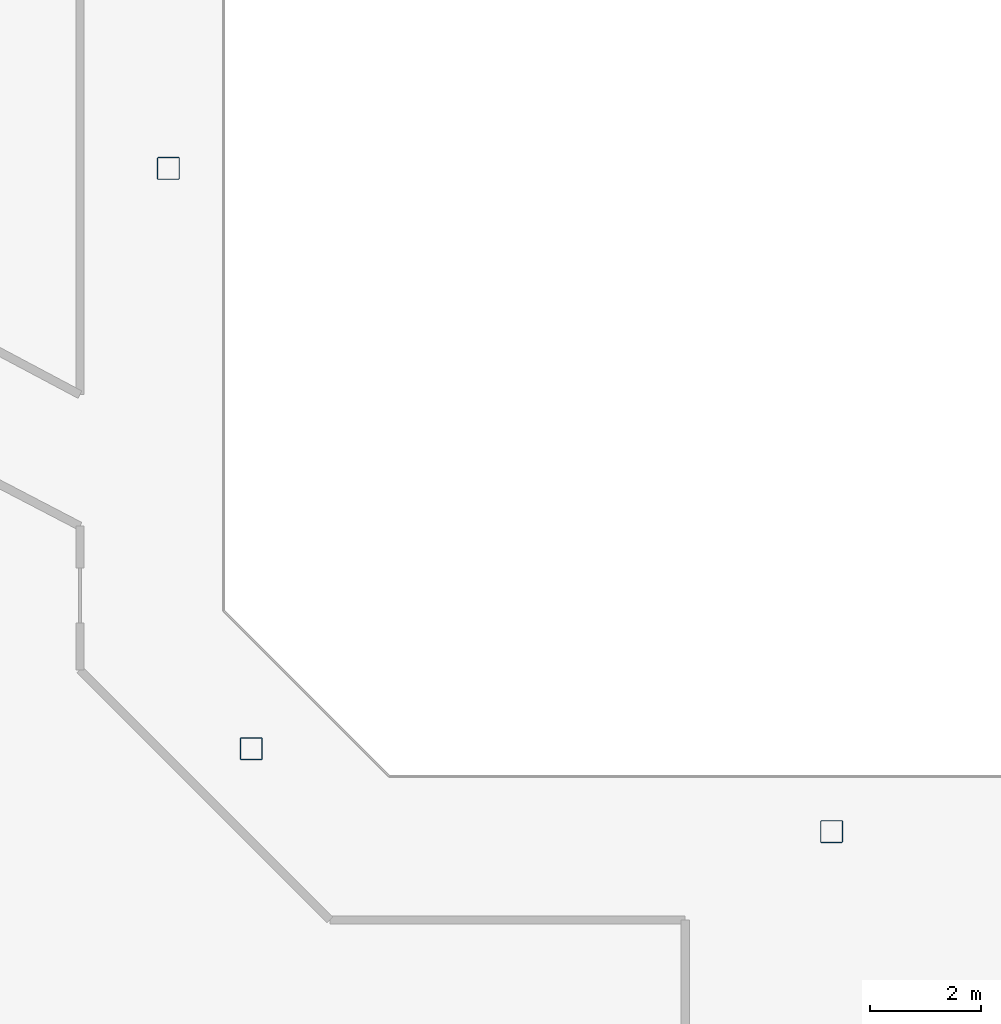
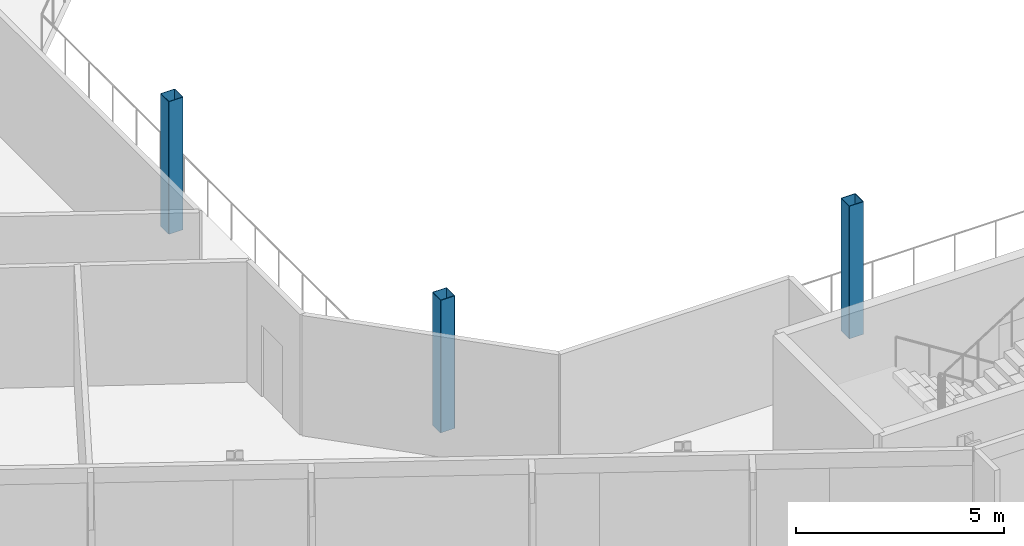
# One storey, part 2 of 26: 3 columns.
"""IFC4 building model written with IfcOpenShell, lengths in metres."""

import ifcopenshell
import ifcopenshell.guid

model = None  # the IFC model being written
_history = None  # IfcOwnerHistory: only IFC2X3 demands one
_inside = {}  # id of a spatial element -> (the spatial element, [elements in it])
_under = {}  # id of a project, library or spatial element -> (it, [spatial elements below it])
_declared = {}  # id of a project -> (the project, [libraries it declares])
_typed = {}  # id of a type object -> (the type object, [elements of that type])
_made_of = {}  # id of a material, layer set ... -> (it, [elements and type objects made of it])


def new_model(schema):
    """Start an empty IFC model of exactly this schema.

    Asked for "IFC4X3", IfcOpenShell would pick the latest addendum, in which some entities
    have other attributes; the version numbers below select the first issue.
    IFC2X3 requires an IfcOwnerHistory on every rooted entity: one is made here for all.
    """
    global model, _history
    if schema == "IFC4X3":
        model = ifcopenshell.file(schema_version=(4, 3, 0, 0))
    else:
        model = ifcopenshell.file(schema=schema)
    _inside.clear()
    _under.clear()
    _declared.clear()
    _typed.clear()
    _made_of.clear()
    _history = None
    if model.schema == "IFC2X3":
        org = make("IfcOrganization", Name="unknown")
        user = make(
            "IfcPersonAndOrganization",
            ThePerson=make("IfcPerson", FamilyName="unknown"),
            TheOrganization=org,
        )
        app = make(
            "IfcApplication",
            ApplicationDeveloper=org,
            Version="unknown",
            ApplicationFullName="unknown",
            ApplicationIdentifier="unknown",
        )
        _history = make(
            "IfcOwnerHistory",
            OwningUser=user,
            OwningApplication=app,
            ChangeAction="ADDED",
            CreationDate=0,
        )
    return model


def make(cls, **values):
    """One entity of the class cls with the attributes given. An attribute that is None is left unset."""
    return model.create_entity(
        cls, **{name: value for name, value in values.items() if value is not None}
    )


def rooted(cls, **values):
    """An entity with a GlobalId (a new one), such as an element, a storey or a relation."""
    return make(cls, GlobalId=ifcopenshell.guid.new(), OwnerHistory=_history, **values)


def si_unit(unit_type, name, prefix=None):
    """IfcSIUnit, for example si_unit("LENGTHUNIT", "METRE", prefix="MILLI")."""
    return make("IfcSIUnit", UnitType=unit_type, Prefix=prefix, Name=name)


def assignment(units):
    """IfcUnitAssignment: the units of a project."""
    return None if units is None else make("IfcUnitAssignment", Units=units)


def point(xyz):
    """IfcCartesianPoint."""
    return None if xyz is None else make("IfcCartesianPoint", Coordinates=xyz)


def direction(xyz):
    """IfcDirection."""
    return None if xyz is None else make("IfcDirection", DirectionRatios=xyz)


def frame(location, z_axis=None, x_axis=None):
    """IfcAxis2Placement3D, a coordinate frame: its origin and axes. An axis left out is left unset."""
    return make(
        "IfcAxis2Placement3D",
        Location=point(location),
        Axis=direction(z_axis),
        RefDirection=direction(x_axis),
    )


def frame_2d(location, x_axis=None):
    """IfcAxis2Placement2D, a coordinate frame in the plane: its origin and x axis."""
    return make(
        "IfcAxis2Placement2D", Location=point(location), RefDirection=direction(x_axis)
    )


def origin():
    """The frame at (0, 0, 0) with its axes left unset."""
    return frame((0.0, 0.0, 0.0))


def origin_2d():
    """The frame at (0, 0) in the plane with its x axis left unset."""
    return frame_2d((0.0, 0.0))


def place(relative_to, where):
    """IfcLocalPlacement: puts the frame where relative to a parent placement (None: the world)."""
    return make(
        "IfcLocalPlacement", PlacementRelTo=relative_to, RelativePlacement=where
    )


def context(
    kind, dimensions, precision=None, world=None, true_north=None, identifier=None
):
    """IfcGeometricRepresentationContext, for example the 3D "Model" context."""
    return make(
        "IfcGeometricRepresentationContext",
        ContextIdentifier=identifier,
        ContextType=kind,
        CoordinateSpaceDimension=dimensions,
        Precision=precision,
        WorldCoordinateSystem=world,
        TrueNorth=true_north,
    )


def subcontext(parent, identifier, kind, view, scale=None):
    """IfcGeometricRepresentationSubContext, for example "Body" below "Model"."""
    return make(
        "IfcGeometricRepresentationSubContext",
        ContextIdentifier=identifier,
        ContextType=kind,
        ParentContext=parent,
        TargetScale=scale,
        TargetView=view,
    )


def project(units=None, contexts=None):
    """IfcProject with its units and contexts."""
    return rooted(
        "IfcProject",
        Name="project",
        RepresentationContexts=contexts,
        UnitsInContext=assignment(units),
    )


def spatial(cls, under=None, at=None, **own):
    """A site, building, storey or space (cls), placed at a placement, below another one or the project."""
    s = rooted(cls, ObjectPlacement=at, **own)
    if under is not None:
        _under.setdefault(under.id(), (under, []))[1].append(s)
    return s


def profile(cls, at=None, kind="AREA", **sizes):
    """A parametric profile (cls). Its sizes go by their IFC names, for example OverallWidth=200.0."""
    return make(cls, ProfileType=kind, Position=at, **sizes)


def hollow_rectangle(**sizes):
    """IfcRectangleHollowProfileDef."""
    return profile("IfcRectangleHollowProfileDef", **sizes)


def extrude(swept, where, along, depth):
    """IfcExtrudedAreaSolid: the profile swept, set in the frame where, extruded along a direction by depth."""
    return make(
        "IfcExtrudedAreaSolid",
        SweptArea=swept,
        Position=where,
        ExtrudedDirection=direction(along),
        Depth=depth,
    )


def shape(context_of_items, identifier, shape_type, items):
    """IfcShapeRepresentation: the items that make up one representation, for example the "Body"."""
    return make(
        "IfcShapeRepresentation",
        ContextOfItems=context_of_items,
        RepresentationIdentifier=identifier,
        RepresentationType=shape_type,
        Items=items,
    )


def material(Name=None, Category=None):
    """IfcMaterial."""
    return make("IfcMaterial", Name=Name, Category=Category)


def material_profile(
    of_material, cross_section, Name=None, Category=None, Priority=None
):
    """IfcMaterialProfile: a cross section and its material."""
    return make(
        "IfcMaterialProfile",
        Name=Name,
        Material=of_material,
        Profile=cross_section,
        Priority=Priority,
        Category=Category,
    )


def profile_set(profiles, Name=None, composite=None):
    """IfcMaterialProfileSet."""
    return make(
        "IfcMaterialProfileSet",
        Name=Name,
        MaterialProfiles=profiles,
        CompositeProfile=composite,
    )


def made_of(thing, what):
    """Note that an element or type object is made of a material, layer set ...; save() writes the relation."""
    if what is not None:
        _made_of.setdefault(what.id(), (what, []))[1].append(thing)
    return thing


def type_object(cls, material=None, **own):
    """A type object (cls), such as IfcWallType, which elements share."""
    return made_of(rooted(cls, **own), material)


def element(
    cls,
    number,
    at=None,
    inside=None,
    cuts=None,
    type_object=None,
    material=None,
    context=None,
    identifier="Body",
    shape_type=None,
    held_by="IfcProductDefinitionShape",
    body=None,
    shapes=None,
    **own,
):
    """One element of the class cls, such as IfcWall. Its Tag is "e" and its number.

    at: its placement. inside: the storey or other place that contains it. cuts: it is an
    opening in that element (IfcRelVoidsElement). A single representation is given by context,
    identifier, shape_type and body (its items); several are given by shapes. held_by: the class
    of the entity that holds the representations. save() writes the other relations.
    """
    e = rooted(cls, Tag="e%d" % number, ObjectPlacement=at, **own)
    if body is not None:
        shapes = [shape(context, identifier, shape_type, body)]
    if shapes is not None:
        e.Representation = make(held_by, Representations=shapes)
    if inside is not None:
        _inside.setdefault(inside.id(), (inside, []))[1].append(e)
    if cuts is not None:
        rooted(
            "IfcRelVoidsElement", RelatingBuildingElement=cuts, RelatedOpeningElement=e
        )
    if type_object is not None:
        _typed.setdefault(type_object.id(), (type_object, []))[1].append(e)
    return made_of(e, material)


def aggregate(whole, parts):
    """IfcRelAggregates: a whole, such as a stair, and the parts it consists of."""
    return rooted("IfcRelAggregates", RelatingObject=whole, RelatedObjects=parts)


def save(model, path):
    """Write the relations noted so far, then the file.

    IfcRelAggregates (storeys below a building ...), IfcRelContainedInSpatialStructure (elements
    in a storey), IfcRelDefinesByType, IfcRelAssociatesMaterial and IfcRelDeclares: one each for
    every whole, place, type object, material and project.
    """
    for whole, parts in _under.values():
        aggregate(whole, parts)
    for where, things in _inside.values():
        rooted(
            "IfcRelContainedInSpatialStructure",
            RelatedElements=things,
            RelatingStructure=where,
        )
    for kind, things in _typed.values():
        rooted("IfcRelDefinesByType", RelatedObjects=things, RelatingType=kind)
    for what, things in _made_of.values():
        rooted("IfcRelAssociatesMaterial", RelatedObjects=things, RelatingMaterial=what)
    for by, libraries in _declared.values():
        rooted("IfcRelDeclares", RelatingContext=by, RelatedDefinitions=libraries)
    model.write(path)


model = new_model("IFC4")

# Units and contexts
model_context = context("Model", 3, precision=1e-05, world=origin(), true_north=direction((0.0, 1.0)))
body_context = subcontext(model_context, "Body", "Model", "MODEL_VIEW")
ifc_project = project(units=[si_unit("LENGTHUNIT", "METRE"), si_unit("AREAUNIT", "SQUARE_METRE"), si_unit("VOLUMEUNIT", "CUBIC_METRE"), si_unit("PLANEANGLEUNIT", "RADIAN"), si_unit("MASSUNIT", "GRAM", prefix="KILO")], contexts=[model_context])

# Site, building, storey
site_placement = place(None, origin())
site = spatial("IfcSite", under=ifc_project, at=site_placement, CompositionType="ELEMENT")
building_placement = place(site_placement, origin())
building = spatial("IfcBuilding", under=site, at=building_placement, Name="Cormorant Relay Tower", CompositionType="ELEMENT")
storey_placement = place(building_placement, frame((0.0, 0.0, 220.800048828125)))
storey = spatial("IfcBuildingStorey", under=building, at=storey_placement, Name="L48", CompositionType="ELEMENT", Elevation=220.800048828125)

# Columns
ifc_material = material(Name="Steel ASTM A500 Grade C (Fy 345 MPa)", Category="steel")
ifc_material_profile = material_profile(ifc_material, hollow_rectangle(XDim=0.406494140625, YDim=0.406494140625, WallThickness=0.0146484375, InnerFilletRadius=0.00732421875, OuterFilletRadius=0.022216796875, at=origin_2d()), Name="HSS406x406x15")
ifc_profile_set = profile_set([ifc_material_profile], Name="Steel ASTM A500 Grade C (Fy 345 MPa)")
column_type = type_object("IfcColumnType", Name="Column HSS406x406x15", PredefinedType="COLUMN", material=ifc_profile_set)
for number, where, z_axis, x_axis, name in (
    (1, (0.0, -12.0, 0.0), (0.0, 0.0, 1.0), (1.0, 0.0, 0.0), "Column L48-007"),
    (2, (-10.5, -10.5, 0.0), (0.0, 0.0, 1.0), (1.0, 0.0, 0.0), "Column L48-009"),
    (3, (-12.0, 0.0, 0.0), (0.0, 0.0, 1.0), (1.0, 0.0, 0.0), "Column L48-015"),
):
    element("IfcColumn", number, at=place(storey_placement, frame(where, z_axis=z_axis, x_axis=x_axis)), inside=storey, type_object=column_type, Name=name, PredefinedType="COLUMN", context=body_context, shape_type="SweptSolid", body=[
        extrude(hollow_rectangle(XDim=0.406494140625, YDim=0.406494140625, WallThickness=0.0146484375, InnerFilletRadius=0.00732421875, OuterFilletRadius=0.022216796875, at=origin_2d()), origin(), (0.0, 0.0, 1.0), 3.89990234375),
    ])

save(model, "model.ifc")
